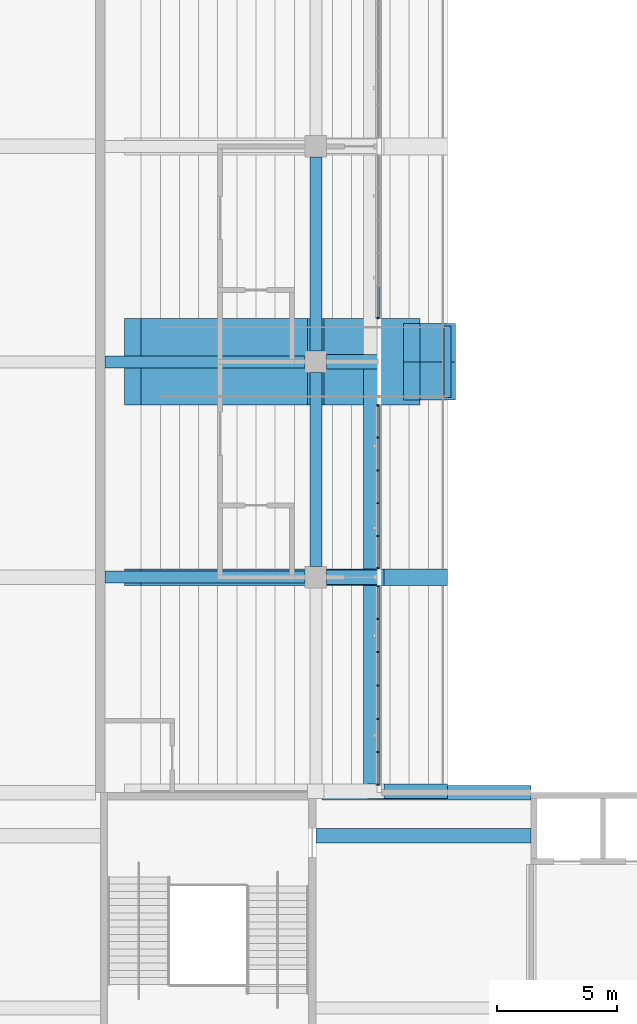
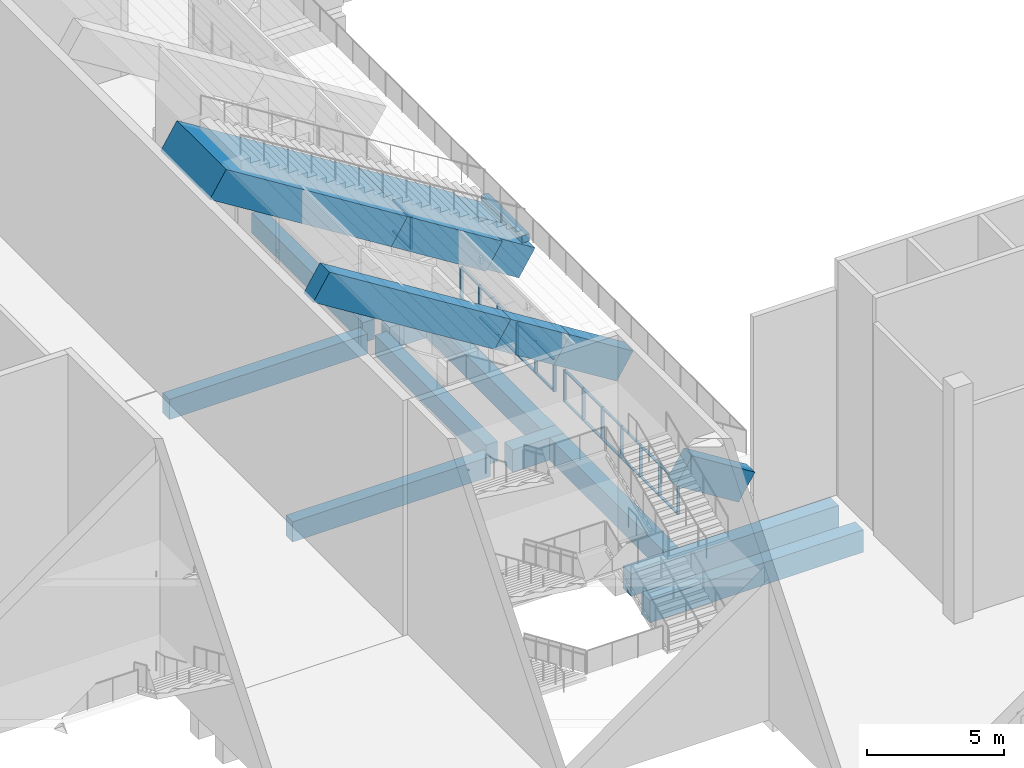
# One storey, part 32 of 182: 38 members, 19 beams, 3 elements without a shape of their own.
"""IFC4 building model written with IfcOpenShell, lengths in metres."""

from ifc_helpers import new_model, si_unit, direction, frame, origin, origin_2d, place, context, subcontext, project, spatial, rectangle, extrude, material, material_profile, profile_set, type_object, element, aggregate, save


model = new_model("IFC4")

# Units and contexts
model_context = context("Model", 3, precision=1e-05, world=origin(), true_north=direction((0.0, 1.0)))
body_context = subcontext(model_context, "Body", "Model", "MODEL_VIEW")
ifc_project = project(units=[si_unit("LENGTHUNIT", "METRE"), si_unit("AREAUNIT", "SQUARE_METRE"), si_unit("VOLUMEUNIT", "CUBIC_METRE"), si_unit("PLANEANGLEUNIT", "RADIAN"), si_unit("MASSUNIT", "GRAM", prefix="KILO")], contexts=[model_context])

# Site, building, storey
site_placement = place(None, origin())
site = spatial("IfcSite", under=ifc_project, at=site_placement, CompositionType="ELEMENT")
building_placement = place(site_placement, origin())
building = spatial("IfcBuilding", under=site, at=building_placement, Name="Silverbay Arena", CompositionType="ELEMENT")
storey_placement = place(building_placement, frame((0.0, 0.0, 11.5)))
storey = spatial("IfcBuildingStorey", under=building, at=storey_placement, Name="L02", CompositionType="ELEMENT", Elevation=11.5)

# Curtain wall, members
ifc_material_1 = material(Name="Fire-resisting glass", Category="glass")
curtain_wall_type_1 = type_object("IfcCurtainWallType", Name="Fire-resisting glazed screen EI 120 8350 x 1437", PredefinedType="NOTDEFINED", material=ifc_material_1)
curtain_wall_1_placement = place(storey_placement, origin())
curtain_wall_1 = element("IfcCurtainWall", 1, at=curtain_wall_1_placement, inside=storey, type_object=curtain_wall_type_1, Name="West suite front 1", PredefinedType="NOTDEFINED")
ifc_material_2 = material(Name="Aluminium", Category="aluminium")
ifc_material_profile_1 = material_profile(ifc_material_2, rectangle(XDim=0.1201171875, YDim=0.06005859375, at=origin_2d()), Name="Mullion 60 x 120")
ifc_profile_set_1 = profile_set([ifc_material_profile_1], Name="Aluminium")
member_type_1 = type_object("IfcMemberType", Name="Mullion 60 x 120", PredefinedType="MULLION", material=ifc_profile_set_1)
member_1_placement = place(storey_placement, frame((83.60009765625, 63.330078125, 1.10009765625), z_axis=(0.0, 0.0, 1.0), x_axis=(-1.0, 0.0, 0.0)))
member_1 = element("IfcMember", 2, at=member_1_placement, type_object=member_type_1, Name="CW20 mullion 1", PredefinedType="MULLION", context=body_context, shape_type="SweptSolid", body=[
    extrude(rectangle(XDim=0.1201171875, YDim=0.06005859375, at=origin_2d()), origin(), (0.0, 0.0, 1.0), 1.43701171875),
])
member_2_placement = place(storey_placement, frame((83.60009765625, 64.691650390625, 1.10009765625), z_axis=(0.0, 0.0, 1.0), x_axis=(-1.0, 0.0, 0.0)))
member_2 = element("IfcMember", 3, at=member_2_placement, type_object=member_type_1, Name="CW20 mullion 2", PredefinedType="MULLION", context=body_context, shape_type="SweptSolid", body=[
    extrude(rectangle(XDim=0.1201171875, YDim=0.06005859375, at=origin_2d()), origin(), (0.0, 0.0, 1.0), 1.43701171875),
])
member_3_placement = place(storey_placement, frame((83.60009765625, 66.083251953125, 1.10009765625), z_axis=(0.0, 0.0, 1.0), x_axis=(-1.0, 0.0, 0.0)))
member_3 = element("IfcMember", 4, at=member_3_placement, type_object=member_type_1, Name="CW20 mullion 3", PredefinedType="MULLION", context=body_context, shape_type="SweptSolid", body=[
    extrude(rectangle(XDim=0.1201171875, YDim=0.06005859375, at=origin_2d()), origin(), (0.0, 0.0, 1.0), 1.43701171875),
])
member_4_placement = place(storey_placement, frame((83.60009765625, 67.47509765625, 1.10009765625), z_axis=(0.0, 0.0, 1.0), x_axis=(-1.0, 0.0, 0.0)))
member_4 = element("IfcMember", 5, at=member_4_placement, type_object=member_type_1, Name="CW20 mullion 4", PredefinedType="MULLION", context=body_context, shape_type="SweptSolid", body=[
    extrude(rectangle(XDim=0.1201171875, YDim=0.06005859375, at=origin_2d()), origin(), (0.0, 0.0, 1.0), 1.43701171875),
])
member_5_placement = place(storey_placement, frame((83.60009765625, 68.86669921875, 1.10009765625), z_axis=(0.0, 0.0, 1.0), x_axis=(-1.0, 0.0, 0.0)))
member_5 = element("IfcMember", 6, at=member_5_placement, type_object=member_type_1, Name="CW20 mullion 5", PredefinedType="MULLION", context=body_context, shape_type="SweptSolid", body=[
    extrude(rectangle(XDim=0.1201171875, YDim=0.06005859375, at=origin_2d()), origin(), (0.0, 0.0, 1.0), 1.43701171875),
])
member_6_placement = place(storey_placement, frame((83.60009765625, 70.25830078125, 1.10009765625), z_axis=(0.0, 0.0, 1.0), x_axis=(-1.0, 0.0, 0.0)))
member_6 = element("IfcMember", 7, at=member_6_placement, type_object=member_type_1, Name="CW20 mullion 6", PredefinedType="MULLION", context=body_context, shape_type="SweptSolid", body=[
    extrude(rectangle(XDim=0.1201171875, YDim=0.06005859375, at=origin_2d()), origin(), (0.0, 0.0, 1.0), 1.43701171875),
])
member_7_placement = place(storey_placement, frame((83.60009765625, 71.6201171875, 1.10009765625), z_axis=(0.0, 0.0, 1.0), x_axis=(-1.0, 0.0, 0.0)))
member_7 = element("IfcMember", 8, at=member_7_placement, type_object=member_type_1, Name="CW20 mullion 7", PredefinedType="MULLION", context=body_context, shape_type="SweptSolid", body=[
    extrude(rectangle(XDim=0.1201171875, YDim=0.06005859375, at=origin_2d()), origin(), (0.0, 0.0, 1.0), 1.43701171875),
])

ifc_material_3 = material(Name="Fire-resisting glass", Category="glass")
curtain_wall_type_2 = type_object("IfcCurtainWallType", Name="Fire-resisting glazed screen EI 120 6850 x 1437", PredefinedType="NOTDEFINED", material=ifc_material_3)
curtain_wall_2_placement = place(storey_placement, origin())
curtain_wall_2 = element("IfcCurtainWall", 9, at=curtain_wall_2_placement, inside=storey, type_object=curtain_wall_type_2, Name="West suite front 2", PredefinedType="NOTDEFINED")
member_8_placement = place(storey_placement, frame((83.60009765625, 72.3798828125, 1.10009765625), z_axis=(0.0, 0.0, 1.0), x_axis=(-1.0, 0.0, 0.0)))
member_8 = element("IfcMember", 10, at=member_8_placement, type_object=member_type_1, Name="CW19 mullion 1", PredefinedType="MULLION", context=body_context, shape_type="SweptSolid", body=[
    extrude(rectangle(XDim=0.1201171875, YDim=0.06005859375, at=origin_2d()), origin(), (0.0, 0.0, 1.0), 1.43701171875),
])
member_9_placement = place(storey_placement, frame((83.60009765625, 73.719970703125, 1.10009765625), z_axis=(0.0, 0.0, 1.0), x_axis=(-1.0, 0.0, 0.0)))
member_9 = element("IfcMember", 11, at=member_9_placement, type_object=member_type_1, Name="CW19 mullion 2", PredefinedType="MULLION", context=body_context, shape_type="SweptSolid", body=[
    extrude(rectangle(XDim=0.1201171875, YDim=0.06005859375, at=origin_2d()), origin(), (0.0, 0.0, 1.0), 1.43701171875),
])
member_10_placement = place(storey_placement, frame((83.60009765625, 75.090087890625, 1.10009765625), z_axis=(0.0, 0.0, 1.0), x_axis=(-1.0, 0.0, 0.0)))
member_10 = element("IfcMember", 12, at=member_10_placement, type_object=member_type_1, Name="CW19 mullion 3", PredefinedType="MULLION", context=body_context, shape_type="SweptSolid", body=[
    extrude(rectangle(XDim=0.1201171875, YDim=0.06005859375, at=origin_2d()), origin(), (0.0, 0.0, 1.0), 1.43701171875),
])
member_11_placement = place(storey_placement, frame((83.60009765625, 76.4599609375, 1.10009765625), z_axis=(0.0, 0.0, 1.0), x_axis=(-1.0, 0.0, 0.0)))
member_11 = element("IfcMember", 13, at=member_11_placement, type_object=member_type_1, Name="CW19 mullion 4", PredefinedType="MULLION", context=body_context, shape_type="SweptSolid", body=[
    extrude(rectangle(XDim=0.1201171875, YDim=0.06005859375, at=origin_2d()), origin(), (0.0, 0.0, 1.0), 1.43701171875),
])
member_12_placement = place(storey_placement, frame((83.60009765625, 77.830078125, 1.10009765625), z_axis=(0.0, 0.0, 1.0), x_axis=(-1.0, 0.0, 0.0)))
member_12 = element("IfcMember", 14, at=member_12_placement, type_object=member_type_1, Name="CW19 mullion 5", PredefinedType="MULLION", context=body_context, shape_type="SweptSolid", body=[
    extrude(rectangle(XDim=0.1201171875, YDim=0.06005859375, at=origin_2d()), origin(), (0.0, 0.0, 1.0), 1.43701171875),
])
member_13_placement = place(storey_placement, frame((83.60009765625, 79.169921875, 1.10009765625), z_axis=(0.0, 0.0, 1.0), x_axis=(-1.0, 0.0, 0.0)))
member_13 = element("IfcMember", 15, at=member_13_placement, type_object=member_type_1, Name="CW19 mullion 6", PredefinedType="MULLION", context=body_context, shape_type="SweptSolid", body=[
    extrude(rectangle(XDim=0.1201171875, YDim=0.06005859375, at=origin_2d()), origin(), (0.0, 0.0, 1.0), 1.43701171875),
])

# Curtain wall, member
curtain_wall_3_placement = place(storey_placement, origin())
curtain_wall_3 = element("IfcCurtainWall", 16, at=curtain_wall_3_placement, inside=storey, type_object=curtain_wall_type_2, Name="West suite front 3", PredefinedType="NOTDEFINED")
member_14_placement = place(storey_placement, frame((83.60009765625, 82.830078125, 1.10009765625), z_axis=(0.0, 0.0, 1.0), x_axis=(-1.0, 0.0, 0.0)))
member_14 = element("IfcMember", 17, at=member_14_placement, type_object=member_type_1, Name="CW19 mullion 1", PredefinedType="MULLION", context=body_context, shape_type="SweptSolid", body=[
    extrude(rectangle(XDim=0.1201171875, YDim=0.06005859375, at=origin_2d()), origin(), (0.0, 0.0, 1.0), 1.43701171875),
])

# Beams
ifc_material_4 = material(Name="Concrete Grade C45", Category="concrete")
ifc_material_profile_2 = material_profile(ifc_material_4, rectangle(XDim=0.5, YDim=0.89990234375, at=origin_2d()), Name="RC 500x900")
ifc_profile_set_2 = profile_set([ifc_material_profile_2], Name="Concrete Grade C45")
beam_type_1 = type_object("IfcBeamType", Name="RC beam 500x900", PredefinedType="BEAM", material=ifc_profile_set_2)
for number, where, z_axis, x_axis, name in (
    (18, (72.199951171875, 72.0, -0.800048828125), (1.0, 0.0, 0.0), (0.0, 1.0, 0.0), "Floor beam L02 076"),
    (19, (72.199951171875, 81.0, -0.800048828125), (1.0, 0.0, 0.0), (0.0, 1.0, 0.0), "Floor beam L02 089"),
):
    element("IfcBeam", number, at=place(storey_placement, frame(where, z_axis=z_axis, x_axis=x_axis)), inside=storey, type_object=beam_type_1, Name=name, PredefinedType="BEAM", context=body_context, shape_type="SweptSolid", body=[
        extrude(rectangle(XDim=0.5, YDim=0.89990234375, at=origin_2d()), origin(), (0.0, 0.0, 1.0), 8.35009765625),
    ])
for number, where, z_axis, x_axis, name in (
    (20, (81.0, 72.449951171875, -0.800048828125), (0.0, 1.0, 0.0), (-1.0, 0.0, 0.0), "Floor beam L02 233"),
    (21, (81.0, 81.449951171875, -0.800048828125), (0.0, 1.0, 0.0), (-1.0, 0.0, 0.0), "Floor beam L02 234"),
):
    element("IfcBeam", number, at=place(storey_placement, frame(where, z_axis=z_axis, x_axis=x_axis)), inside=storey, type_object=beam_type_1, Name=name, PredefinedType="BEAM", context=body_context, shape_type="SweptSolid", body=[
        extrude(rectangle(XDim=0.5, YDim=0.89990234375, at=origin_2d()), origin(), (0.0, 0.0, 1.0), 8.10009765625),
    ])
ifc_material_5 = material(Name="Concrete Grade C45", Category="concrete")
ifc_material_profile_3 = material_profile(ifc_material_5, rectangle(XDim=0.60009765625, YDim=1.0, at=origin_2d()), Name="RC 600x1000")
ifc_profile_set_3 = profile_set([ifc_material_profile_3], Name="Concrete Grade C45")
beam_type_2 = type_object("IfcBeamType", Name="RC beam 600x1000", PredefinedType="BEAM", material=ifc_profile_set_3)
beam_1_placement = place(storey_placement, frame((81.0, 61.199951171875, -0.85009765625), z_axis=(1.0, 0.0, 0.0), x_axis=(0.0, 1.0, 0.0)))
element("IfcBeam", 22, at=beam_1_placement, inside=storey, type_object=beam_type_2, Name="Floor beam L02 059", PredefinedType="BEAM", context=body_context, shape_type="SweptSolid", body=[
    extrude(rectangle(XDim=0.60009765625, YDim=1.0, at=origin_2d()), origin(), (0.0, 0.0, 1.0), 9.0),
])
beam_2_placement = place(storey_placement, frame((81.25, 63.0, -0.85009765625), z_axis=(1.0, 0.0, 0.0), x_axis=(0.0, 1.0, 0.0)))
element("IfcBeam", 23, at=beam_2_placement, inside=storey, type_object=beam_type_2, Name="Floor beam L02 066", PredefinedType="BEAM", context=body_context, shape_type="SweptSolid", body=[
    extrude(rectangle(XDim=0.60009765625, YDim=1.0, at=origin_2d()), origin(), (0.0, 0.0, 1.0), 8.75),
])
for number, where, z_axis, x_axis, name in (
    (24, (81.449951171875, 72.0, -0.85009765625), (1.0, 0.0, 0.0), (0.0, 1.0, 0.0), "Floor beam L02 077"),
    (25, (81.449951171875, 81.0, -0.85009765625), (1.0, 0.0, 0.0), (0.0, 1.0, 0.0), "Floor beam L02 090"),
):
    element("IfcBeam", number, at=place(storey_placement, frame(where, z_axis=z_axis, x_axis=x_axis)), inside=storey, type_object=beam_type_2, Name=name, PredefinedType="BEAM", context=body_context, shape_type="SweptSolid", body=[
        extrude(rectangle(XDim=0.60009765625, YDim=1.0, at=origin_2d()), origin(), (0.0, 0.0, 1.0), 2.150146484375),
    ])
for number, where, z_axis, x_axis, name in (
    (26, (83.300048828125, 63.300048828125, -0.85009765625), (0.0, 1.0, 0.0), (-1.0, 0.0, 0.0), "Floor beam L02 379"),
    (27, (83.300048828125, 72.300048828125, -0.85009765625), (0.0, 1.0, 0.0), (-1.0, 0.0, 0.0), "Floor beam L02 380"),
):
    element("IfcBeam", number, at=place(storey_placement, frame(where, z_axis=z_axis, x_axis=x_axis)), inside=storey, type_object=beam_type_2, Name=name, PredefinedType="BEAM", context=body_context, shape_type="SweptSolid", body=[
        extrude(rectangle(XDim=0.60009765625, YDim=1.0, at=origin_2d()), origin(), (0.0, 0.0, 1.0), 8.39990234375),
    ])
ifc_material_6 = material(Name="Concrete Grade C45", Category="concrete")
ifc_material_profile_4 = material_profile(ifc_material_6, rectangle(XDim=1.60009765625, YDim=1.300048828125, at=origin_2d()), Name="RC 1600x1300")
ifc_profile_set_4 = profile_set([ifc_material_profile_4], Name="Concrete Grade C45")
beam_type_3 = type_object("IfcBeamType", Name="RC cantilever raker 1600x1300", PredefinedType="BEAM", material=ifc_profile_set_4)
for number, where, z_axis, x_axis, name in (
    (28, (86.5, 80.199951171875, 1.553466796875), (-0.847998304005, 0.0, 0.529998940003), (0.0, -1.0, 0.0), "Raker West upper 81 nose L"),
    (29, (86.5, 81.800048828125, 1.553466796875), (-0.847998304005, 0.0, 0.529998940003), (0.0, -1.0, 0.0), "Raker West upper 81 nose R"),
):
    element("IfcBeam", number, at=place(storey_placement, frame(where, z_axis=z_axis, x_axis=x_axis)), inside=storey, type_object=beam_type_3, Name=name, PredefinedType="BEAM", context=body_context, shape_type="SweptSolid", body=[
        extrude(rectangle(XDim=1.60009765625, YDim=1.300048828125, at=origin_2d()), origin(), (0.0, 0.0, 1.0), 1.768798828125),
    ])
ifc_material_7 = material(Name="Concrete Grade C45", Category="concrete")
ifc_material_profile_5 = material_profile(ifc_material_7, rectangle(XDim=3.60009765625, YDim=1.300048828125, at=origin_2d()), Name="RC 3600x1300")
ifc_profile_set_5 = profile_set([ifc_material_profile_5], Name="Concrete Grade C45")
beam_type_4 = type_object("IfcBeamType", Name="RC cantilever raker 3600x1300", PredefinedType="BEAM", material=ifc_profile_set_5)
beam_3_placement = place(storey_placement, frame((85.0, 81.0, 2.490966796875), z_axis=(-0.847998304005, 0.0, 0.529998940003), x_axis=(0.0, -1.0, 0.0)))
element("IfcBeam", 30, at=beam_3_placement, inside=storey, type_object=beam_type_4, Name="Raker West upper 81 tip", PredefinedType="BEAM", context=body_context, shape_type="SweptSolid", body=[
    extrude(rectangle(XDim=3.60009765625, YDim=1.300048828125, at=origin_2d()), origin(), (0.0, 0.0, 1.0), 4.717041015625),
])
ifc_material_8 = material(Name="Concrete Grade C45", Category="concrete")
ifc_material_profile_6 = material_profile(ifc_material_8, rectangle(XDim=0.60009765625, YDim=1.300048828125, at=origin_2d()), Name="RC 600x1300")
ifc_profile_set_6 = profile_set([ifc_material_profile_6], Name="Concrete Grade C45")
beam_type_5 = type_object("IfcBeamType", Name="RC cantilever raker 600x1300", PredefinedType="BEAM", material=ifc_profile_set_6)
beam_4_placement = place(storey_placement, frame((86.155517578125, 63.050048828125, 1.768798828125), z_axis=(-0.848002683915, 0.0, 0.529991932082), x_axis=(0.0, -1.0, 0.0)))
element("IfcBeam", 31, at=beam_4_placement, inside=storey, type_object=beam_type_5, Name="Raker West upper 63 tip", PredefinedType="BEAM", context=body_context, shape_type="SweptSolid", body=[
    extrude(rectangle(XDim=0.60009765625, YDim=1.300048828125, at=origin_2d()), origin(), (0.0, 0.0, 1.0), 3.131591796875),
])
ifc_material_9 = material(Name="Concrete Grade C45", Category="concrete")
ifc_material_profile_7 = material_profile(ifc_material_9, rectangle(XDim=0.699951171875, YDim=1.300048828125, at=origin_2d()), Name="RC 700x1300")
ifc_profile_set_7 = profile_set([ifc_material_profile_7], Name="Concrete Grade C45")
beam_type_6 = type_object("IfcBeamType", Name="RC cantilever raker 700x1300", PredefinedType="BEAM", material=ifc_profile_set_7)
beam_5_placement = place(storey_placement, frame((86.155517578125, 72.0, 1.768798828125), z_axis=(-0.848002683915, 0.0, 0.529991932082), x_axis=(0.0, -1.0, 0.0)))
element("IfcBeam", 32, at=beam_5_placement, inside=storey, type_object=beam_type_6, Name="Raker West upper 72 tip", PredefinedType="BEAM", context=body_context, shape_type="SweptSolid", body=[
    extrude(rectangle(XDim=0.699951171875, YDim=1.300048828125, at=origin_2d()), origin(), (0.0, 0.0, 1.0), 3.131591796875),
])
beam_6_placement = place(storey_placement, frame((83.5, 72.0, 3.428466796875), z_axis=(-0.847998304005, 0.0, 0.529998940003), x_axis=(0.0, -1.0, 0.0)))
element("IfcBeam", 33, at=beam_6_placement, inside=storey, type_object=beam_type_6, Name="Raker West upper 72 mid", PredefinedType="BEAM", context=body_context, shape_type="SweptSolid", body=[
    extrude(rectangle(XDim=0.699951171875, YDim=1.300048828125, at=origin_2d()), origin(), (0.0, 0.0, 1.0), 2.947998046875),
])
ifc_material_10 = material(Name="Concrete Grade C45", Category="concrete")
ifc_material_profile_8 = material_profile(ifc_material_10, rectangle(XDim=0.300048828125, YDim=0.336181640625, at=origin_2d()), Name="RC 300x336")
ifc_profile_set_8 = profile_set([ifc_material_profile_8], Name="Concrete Grade C45")
beam_type_7 = type_object("IfcBeamType", Name="RC foot plinth 300x336", PredefinedType="BEAM", material=ifc_profile_set_8)
beam_7_placement = place(storey_placement, frame((86.5, 79.5, 2.581787109375), z_axis=(0.0, 1.0, 0.0), x_axis=(-1.0, 0.0, 0.0)))
element("IfcBeam", 34, at=beam_7_placement, inside=storey, type_object=beam_type_7, Name="Foot plinth West upper 81", PredefinedType="BEAM", context=body_context, shape_type="SweptSolid", body=[
    extrude(rectangle(XDim=0.300048828125, YDim=0.336181640625, at=origin_2d()), origin(), (0.0, 0.0, 1.0), 3.0),
])
ifc_material_11 = material(Name="Concrete Grade C45", Category="concrete")
ifc_material_profile_9 = material_profile(ifc_material_11, rectangle(XDim=3.60009765625, YDim=1.300048828125, at=origin_2d()), Name="RC 3600x1300")
ifc_profile_set_9 = profile_set([ifc_material_profile_9], Name="Concrete Grade C45")
beam_type_8 = type_object("IfcBeamType", Name="RC tier raker 3600x1300", PredefinedType="BEAM", material=ifc_profile_set_9)
beam_8_placement = place(storey_placement, frame((81.0, 81.0, 4.990966796875), z_axis=(-0.847998304005, 0.0, 0.529998940003), x_axis=(0.0, -1.0, 0.0)))
element("IfcBeam", 35, at=beam_8_placement, inside=storey, type_object=beam_type_8, Name="Raker West upper 81 back", PredefinedType="BEAM", context=body_context, shape_type="SweptSolid", body=[
    extrude(rectangle(XDim=3.60009765625, YDim=1.300048828125, at=origin_2d()), origin(), (0.0, 0.0, 1.0), 9.014892578125),
])
ifc_material_12 = material(Name="Concrete Grade C45", Category="concrete")
ifc_material_profile_10 = material_profile(ifc_material_12, rectangle(XDim=0.699951171875, YDim=1.300048828125, at=origin_2d()), Name="RC 700x1300")
ifc_profile_set_10 = profile_set([ifc_material_profile_10], Name="Concrete Grade C45")
beam_type_9 = type_object("IfcBeamType", Name="RC tier raker 700x1300", PredefinedType="BEAM", material=ifc_profile_set_10)
beam_9_placement = place(storey_placement, frame((81.0, 72.0, 4.990966796875), z_axis=(-0.847998304005, 0.0, 0.529998940003), x_axis=(0.0, -1.0, 0.0)))
element("IfcBeam", 36, at=beam_9_placement, inside=storey, type_object=beam_type_9, Name="Raker West upper 72 back", PredefinedType="BEAM", context=body_context, shape_type="SweptSolid", body=[
    extrude(rectangle(XDim=0.699951171875, YDim=1.300048828125, at=origin_2d()), origin(), (0.0, 0.0, 1.0), 9.014892578125),
])

# Member
ifc_material_13 = material(Name="Aluminium", Category="aluminium")
ifc_material_profile_11 = material_profile(ifc_material_13, rectangle(XDim=0.10009765625, YDim=0.050048828125, at=origin_2d()), Name="Transom 50 x 100")
ifc_profile_set_11 = profile_set([ifc_material_profile_11], Name="Aluminium")
member_type_2 = type_object("IfcMemberType", Name="Transom 50 x 100", PredefinedType="USERDEFINED", material=ifc_profile_set_11)
member_15_placement = place(storey_placement, frame((83.60009765625, 63.360107421875, 1.125), z_axis=(0.0, 1.0, 0.0), x_axis=(-1.0, 0.0, 0.0)))
member_15 = element("IfcMember", 37, at=member_15_placement, type_object=member_type_2, Name="CW20 transom 1.1", ObjectType="TRANSOM", PredefinedType="USERDEFINED", context=body_context, shape_type="SweptSolid", body=[
    extrude(rectangle(XDim=0.10009765625, YDim=0.050048828125, at=origin_2d()), origin(), (0.0, 0.0, 1.0), 1.301513671875),
])

member_16_placement = place(storey_placement, frame((83.60009765625, 63.360107421875, 2.511962890625), z_axis=(0.0, 1.0, 0.0), x_axis=(-1.0, 0.0, 0.0)))
member_16 = element("IfcMember", 38, at=member_16_placement, type_object=member_type_2, Name="CW20 transom 1.2", ObjectType="TRANSOM", PredefinedType="USERDEFINED", context=body_context, shape_type="SweptSolid", body=[
    extrude(rectangle(XDim=0.10009765625, YDim=0.050048828125, at=origin_2d()), origin(), (0.0, 0.0, 1.0), 1.301513671875),
])

member_17_placement = place(storey_placement, frame((83.60009765625, 64.7216796875, 1.125), z_axis=(0.0, 1.0, 0.0), x_axis=(-1.0, 0.0, 0.0)))
member_17 = element("IfcMember", 39, at=member_17_placement, type_object=member_type_2, Name="CW20 transom 2.1", ObjectType="TRANSOM", PredefinedType="USERDEFINED", context=body_context, shape_type="SweptSolid", body=[
    extrude(rectangle(XDim=0.10009765625, YDim=0.050048828125, at=origin_2d()), origin(), (0.0, 0.0, 1.0), 1.33154296875),
])

member_18_placement = place(storey_placement, frame((83.60009765625, 64.7216796875, 2.511962890625), z_axis=(0.0, 1.0, 0.0), x_axis=(-1.0, 0.0, 0.0)))
member_18 = element("IfcMember", 40, at=member_18_placement, type_object=member_type_2, Name="CW20 transom 2.2", ObjectType="TRANSOM", PredefinedType="USERDEFINED", context=body_context, shape_type="SweptSolid", body=[
    extrude(rectangle(XDim=0.10009765625, YDim=0.050048828125, at=origin_2d()), origin(), (0.0, 0.0, 1.0), 1.33154296875),
])

member_19_placement = place(storey_placement, frame((83.60009765625, 66.11328125, 1.125), z_axis=(0.0, 1.0, 0.0), x_axis=(-1.0, 0.0, 0.0)))
member_19 = element("IfcMember", 41, at=member_19_placement, type_object=member_type_2, Name="CW20 transom 3.1", ObjectType="TRANSOM", PredefinedType="USERDEFINED", context=body_context, shape_type="SweptSolid", body=[
    extrude(rectangle(XDim=0.10009765625, YDim=0.050048828125, at=origin_2d()), origin(), (0.0, 0.0, 1.0), 1.331787109375),
])

member_20_placement = place(storey_placement, frame((83.60009765625, 66.11328125, 2.511962890625), z_axis=(0.0, 1.0, 0.0), x_axis=(-1.0, 0.0, 0.0)))
member_20 = element("IfcMember", 42, at=member_20_placement, type_object=member_type_2, Name="CW20 transom 3.2", ObjectType="TRANSOM", PredefinedType="USERDEFINED", context=body_context, shape_type="SweptSolid", body=[
    extrude(rectangle(XDim=0.10009765625, YDim=0.050048828125, at=origin_2d()), origin(), (0.0, 0.0, 1.0), 1.331787109375),
])

member_21_placement = place(storey_placement, frame((83.60009765625, 67.5048828125, 1.125), z_axis=(0.0, 1.0, 0.0), x_axis=(-1.0, 0.0, 0.0)))
member_21 = element("IfcMember", 43, at=member_21_placement, type_object=member_type_2, Name="CW20 transom 4.1", ObjectType="TRANSOM", PredefinedType="USERDEFINED", context=body_context, shape_type="SweptSolid", body=[
    extrude(rectangle(XDim=0.10009765625, YDim=0.050048828125, at=origin_2d()), origin(), (0.0, 0.0, 1.0), 1.331787109375),
])

member_22_placement = place(storey_placement, frame((83.60009765625, 67.5048828125, 2.511962890625), z_axis=(0.0, 1.0, 0.0), x_axis=(-1.0, 0.0, 0.0)))
member_22 = element("IfcMember", 44, at=member_22_placement, type_object=member_type_2, Name="CW20 transom 4.2", ObjectType="TRANSOM", PredefinedType="USERDEFINED", context=body_context, shape_type="SweptSolid", body=[
    extrude(rectangle(XDim=0.10009765625, YDim=0.050048828125, at=origin_2d()), origin(), (0.0, 0.0, 1.0), 1.331787109375),
])

member_23_placement = place(storey_placement, frame((83.60009765625, 68.896728515625, 1.125), z_axis=(0.0, 1.0, 0.0), x_axis=(-1.0, 0.0, 0.0)))
member_23 = element("IfcMember", 45, at=member_23_placement, type_object=member_type_2, Name="CW20 transom 5.1", ObjectType="TRANSOM", PredefinedType="USERDEFINED", context=body_context, shape_type="SweptSolid", body=[
    extrude(rectangle(XDim=0.10009765625, YDim=0.050048828125, at=origin_2d()), origin(), (0.0, 0.0, 1.0), 1.33154296875),
])

member_24_placement = place(storey_placement, frame((83.60009765625, 68.896728515625, 2.511962890625), z_axis=(0.0, 1.0, 0.0), x_axis=(-1.0, 0.0, 0.0)))
member_24 = element("IfcMember", 46, at=member_24_placement, type_object=member_type_2, Name="CW20 transom 5.2", ObjectType="TRANSOM", PredefinedType="USERDEFINED", context=body_context, shape_type="SweptSolid", body=[
    extrude(rectangle(XDim=0.10009765625, YDim=0.050048828125, at=origin_2d()), origin(), (0.0, 0.0, 1.0), 1.33154296875),
])

member_25_placement = place(storey_placement, frame((83.60009765625, 70.288330078125, 1.125), z_axis=(0.0, 1.0, 0.0), x_axis=(-1.0, 0.0, 0.0)))
member_25 = element("IfcMember", 47, at=member_25_placement, type_object=member_type_2, Name="CW20 transom 6.1", ObjectType="TRANSOM", PredefinedType="USERDEFINED", context=body_context, shape_type="SweptSolid", body=[
    extrude(rectangle(XDim=0.10009765625, YDim=0.050048828125, at=origin_2d()), origin(), (0.0, 0.0, 1.0), 1.3017578125),
])

member_26_placement = place(storey_placement, frame((83.60009765625, 70.288330078125, 2.511962890625), z_axis=(0.0, 1.0, 0.0), x_axis=(-1.0, 0.0, 0.0)))
member_26 = element("IfcMember", 48, at=member_26_placement, type_object=member_type_2, Name="CW20 transom 6.2", ObjectType="TRANSOM", PredefinedType="USERDEFINED", context=body_context, shape_type="SweptSolid", body=[
    extrude(rectangle(XDim=0.10009765625, YDim=0.050048828125, at=origin_2d()), origin(), (0.0, 0.0, 1.0), 1.3017578125),
])

aggregate(curtain_wall_1, [member_1, member_2, member_3, member_4, member_5, member_6, member_7, member_15, member_16, member_17, member_18, member_19, member_20, member_21, member_22, member_23, member_24, member_25, member_26])

member_27_placement = place(storey_placement, frame((83.60009765625, 72.409912109375, 1.125), z_axis=(0.0, 1.0, 0.0), x_axis=(-1.0, 0.0, 0.0)))
member_27 = element("IfcMember", 49, at=member_27_placement, type_object=member_type_2, Name="CW19 transom 1.1", ObjectType="TRANSOM", PredefinedType="USERDEFINED", context=body_context, shape_type="SweptSolid", body=[
    extrude(rectangle(XDim=0.10009765625, YDim=0.050048828125, at=origin_2d()), origin(), (0.0, 0.0, 1.0), 1.280029296875),
])

member_28_placement = place(storey_placement, frame((83.60009765625, 72.409912109375, 2.511962890625), z_axis=(0.0, 1.0, 0.0), x_axis=(-1.0, 0.0, 0.0)))
member_28 = element("IfcMember", 50, at=member_28_placement, type_object=member_type_2, Name="CW19 transom 1.2", ObjectType="TRANSOM", PredefinedType="USERDEFINED", context=body_context, shape_type="SweptSolid", body=[
    extrude(rectangle(XDim=0.10009765625, YDim=0.050048828125, at=origin_2d()), origin(), (0.0, 0.0, 1.0), 1.280029296875),
])

member_29_placement = place(storey_placement, frame((83.60009765625, 73.75, 1.125), z_axis=(0.0, 1.0, 0.0), x_axis=(-1.0, 0.0, 0.0)))
member_29 = element("IfcMember", 51, at=member_29_placement, type_object=member_type_2, Name="CW19 transom 2.1", ObjectType="TRANSOM", PredefinedType="USERDEFINED", context=body_context, shape_type="SweptSolid", body=[
    extrude(rectangle(XDim=0.10009765625, YDim=0.050048828125, at=origin_2d()), origin(), (0.0, 0.0, 1.0), 1.31005859375),
])

member_30_placement = place(storey_placement, frame((83.60009765625, 73.75, 2.511962890625), z_axis=(0.0, 1.0, 0.0), x_axis=(-1.0, 0.0, 0.0)))
member_30 = element("IfcMember", 52, at=member_30_placement, type_object=member_type_2, Name="CW19 transom 2.2", ObjectType="TRANSOM", PredefinedType="USERDEFINED", context=body_context, shape_type="SweptSolid", body=[
    extrude(rectangle(XDim=0.10009765625, YDim=0.050048828125, at=origin_2d()), origin(), (0.0, 0.0, 1.0), 1.31005859375),
])

member_31_placement = place(storey_placement, frame((83.60009765625, 75.1201171875, 1.125), z_axis=(0.0, 1.0, 0.0), x_axis=(-1.0, 0.0, 0.0)))
member_31 = element("IfcMember", 53, at=member_31_placement, type_object=member_type_2, Name="CW19 transom 3.1", ObjectType="TRANSOM", PredefinedType="USERDEFINED", context=body_context, shape_type="SweptSolid", body=[
    extrude(rectangle(XDim=0.10009765625, YDim=0.050048828125, at=origin_2d()), origin(), (0.0, 0.0, 1.0), 1.309814453125),
])

member_32_placement = place(storey_placement, frame((83.60009765625, 75.1201171875, 2.511962890625), z_axis=(0.0, 1.0, 0.0), x_axis=(-1.0, 0.0, 0.0)))
member_32 = element("IfcMember", 54, at=member_32_placement, type_object=member_type_2, Name="CW19 transom 3.2", ObjectType="TRANSOM", PredefinedType="USERDEFINED", context=body_context, shape_type="SweptSolid", body=[
    extrude(rectangle(XDim=0.10009765625, YDim=0.050048828125, at=origin_2d()), origin(), (0.0, 0.0, 1.0), 1.309814453125),
])

member_33_placement = place(storey_placement, frame((83.60009765625, 76.489990234375, 1.125), z_axis=(0.0, 1.0, 0.0), x_axis=(-1.0, 0.0, 0.0)))
member_33 = element("IfcMember", 55, at=member_33_placement, type_object=member_type_2, Name="CW19 transom 4.1", ObjectType="TRANSOM", PredefinedType="USERDEFINED", context=body_context, shape_type="SweptSolid", body=[
    extrude(rectangle(XDim=0.10009765625, YDim=0.050048828125, at=origin_2d()), origin(), (0.0, 0.0, 1.0), 1.31005859375),
])

member_34_placement = place(storey_placement, frame((83.60009765625, 76.489990234375, 2.511962890625), z_axis=(0.0, 1.0, 0.0), x_axis=(-1.0, 0.0, 0.0)))
member_34 = element("IfcMember", 56, at=member_34_placement, type_object=member_type_2, Name="CW19 transom 4.2", ObjectType="TRANSOM", PredefinedType="USERDEFINED", context=body_context, shape_type="SweptSolid", body=[
    extrude(rectangle(XDim=0.10009765625, YDim=0.050048828125, at=origin_2d()), origin(), (0.0, 0.0, 1.0), 1.31005859375),
])

member_35_placement = place(storey_placement, frame((83.60009765625, 77.860107421875, 1.125), z_axis=(0.0, 1.0, 0.0), x_axis=(-1.0, 0.0, 0.0)))
member_35 = element("IfcMember", 57, at=member_35_placement, type_object=member_type_2, Name="CW19 transom 5.1", ObjectType="TRANSOM", PredefinedType="USERDEFINED", context=body_context, shape_type="SweptSolid", body=[
    extrude(rectangle(XDim=0.10009765625, YDim=0.050048828125, at=origin_2d()), origin(), (0.0, 0.0, 1.0), 1.27978515625),
])

member_36_placement = place(storey_placement, frame((83.60009765625, 77.860107421875, 2.511962890625), z_axis=(0.0, 1.0, 0.0), x_axis=(-1.0, 0.0, 0.0)))
member_36 = element("IfcMember", 58, at=member_36_placement, type_object=member_type_2, Name="CW19 transom 5.2", ObjectType="TRANSOM", PredefinedType="USERDEFINED", context=body_context, shape_type="SweptSolid", body=[
    extrude(rectangle(XDim=0.10009765625, YDim=0.050048828125, at=origin_2d()), origin(), (0.0, 0.0, 1.0), 1.27978515625),
])

aggregate(curtain_wall_2, [member_8, member_9, member_10, member_11, member_12, member_13, member_27, member_28, member_29, member_30, member_31, member_32, member_33, member_34, member_35, member_36])

member_37_placement = place(storey_placement, frame((83.60009765625, 82.860107421875, 1.125), z_axis=(0.0, 1.0, 0.0), x_axis=(-1.0, 0.0, 0.0)))
member_37 = element("IfcMember", 59, at=member_37_placement, type_object=member_type_2, Name="CW19 transom 1.1", ObjectType="TRANSOM", PredefinedType="USERDEFINED", context=body_context, shape_type="SweptSolid", body=[
    extrude(rectangle(XDim=0.10009765625, YDim=0.050048828125, at=origin_2d()), origin(), (0.0, 0.0, 1.0), 1.27978515625),
])

member_38_placement = place(storey_placement, frame((83.60009765625, 82.860107421875, 2.511962890625), z_axis=(0.0, 1.0, 0.0), x_axis=(-1.0, 0.0, 0.0)))
member_38 = element("IfcMember", 60, at=member_38_placement, type_object=member_type_2, Name="CW19 transom 1.2", ObjectType="TRANSOM", PredefinedType="USERDEFINED", context=body_context, shape_type="SweptSolid", body=[
    extrude(rectangle(XDim=0.10009765625, YDim=0.050048828125, at=origin_2d()), origin(), (0.0, 0.0, 1.0), 1.27978515625),
])

aggregate(curtain_wall_3, [member_14, member_37, member_38])

save(model, "model.ifc")
